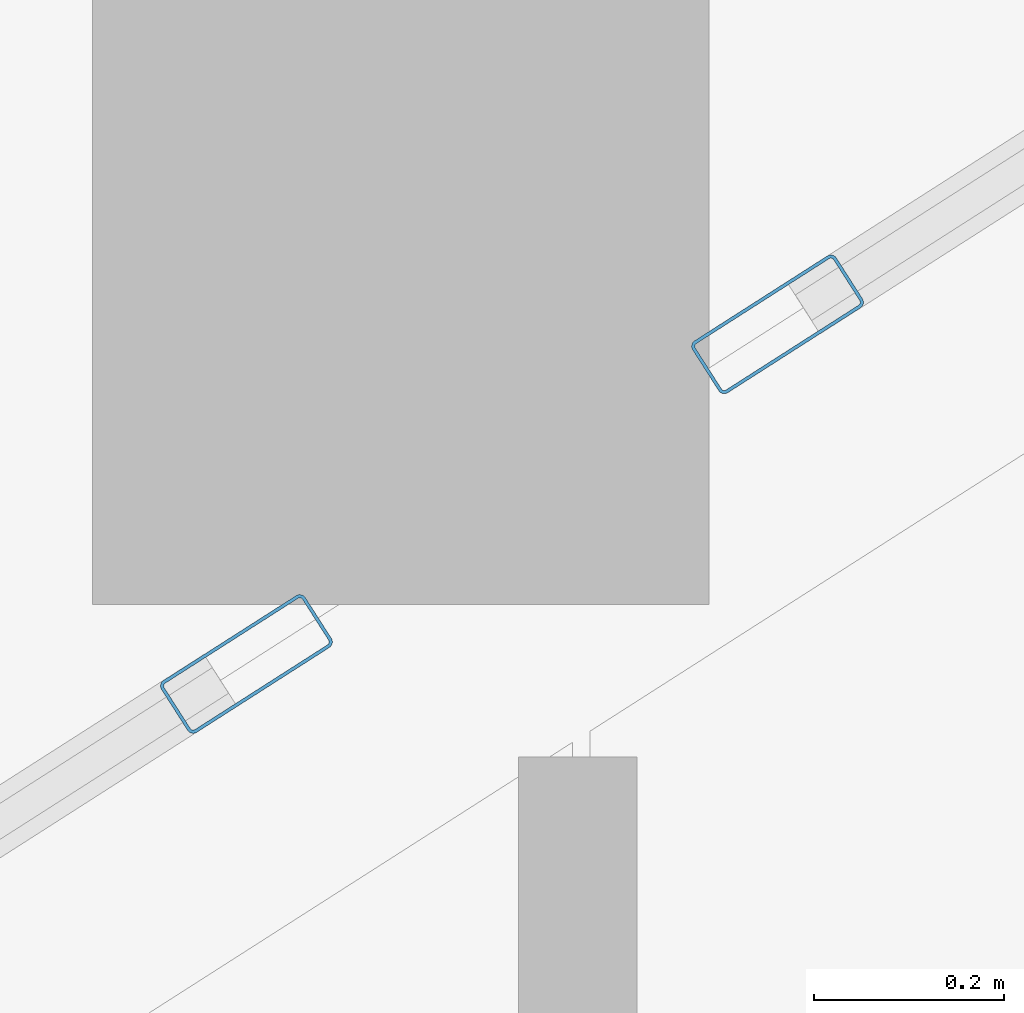
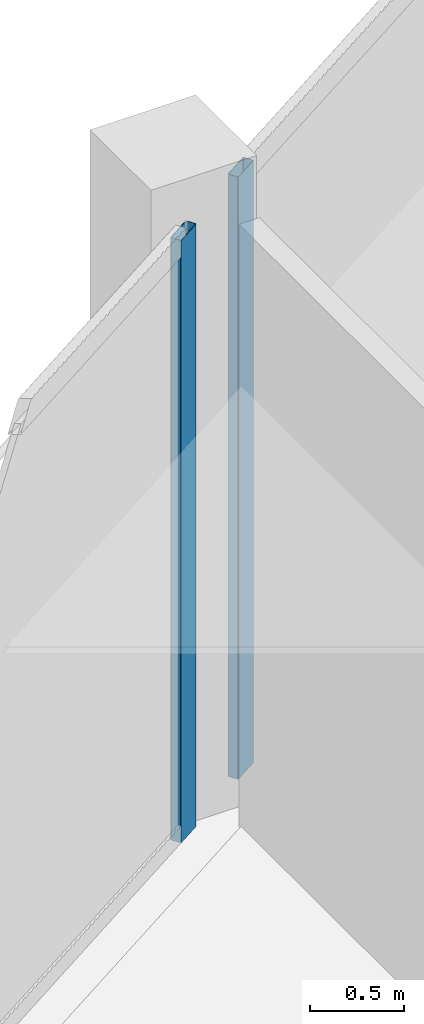
# One storey, part 16 of 44: 2 members, 2 elements without a shape of their own.
"""IFC4 building model written with IfcOpenShell, lengths in metres."""

from ifc_helpers import new_model, si_unit, direction, frame, origin, origin_2d, place, context, subcontext, project, spatial, hollow_rectangle, extrude, material, layer, layer_set, material_profile, profile_set, type_object, element, aggregate, save


model = new_model("IFC4")

# Units and contexts
model_context = context("Model", 3, precision=1e-05, world=origin(), true_north=direction((0.0, 1.0)))
body_context = subcontext(model_context, "Body", "Model", "MODEL_VIEW")
ifc_project = project(units=[si_unit("LENGTHUNIT", "METRE"), si_unit("AREAUNIT", "SQUARE_METRE"), si_unit("VOLUMEUNIT", "CUBIC_METRE"), si_unit("PLANEANGLEUNIT", "RADIAN"), si_unit("MASSUNIT", "GRAM", prefix="KILO")], contexts=[model_context])

# Site, building, storey
site_placement = place(None, origin())
site = spatial("IfcSite", under=ifc_project, at=site_placement, CompositionType="ELEMENT")
building_placement = place(site_placement, origin())
building = spatial("IfcBuilding", under=site, at=building_placement, Name="Qorvath Tower", CompositionType="ELEMENT")
storey_placement = place(building_placement, frame((0.0, 0.0, 57.60009765625)))
storey = spatial("IfcBuildingStorey", under=building, at=storey_placement, Name="L12", CompositionType="ELEMENT", Elevation=57.60009765625)

# Curtain wall, member
ifc_material_1 = material(Name="Anodised aluminium and triple low-E glass", Category="aluminium")
ifc_layer = layer(ifc_material_1, 0.179931640625)
ifc_layer_set = layer_set([ifc_layer], Name="CW-SYS-2")
curtain_wall_type = type_object("IfcCurtainWallType", Name="CW-SYS-2", PredefinedType="NOTDEFINED", material=ifc_layer_set)
curtain_wall_1_placement = place(storey_placement, origin())
curtain_wall_1 = element("IfcCurtainWall", 1, at=curtain_wall_1_placement, inside=storey, type_object=curtain_wall_type, Name="Curtain Wall CW-2 CW-T-L12-16.2", PredefinedType="NOTDEFINED")
ifc_material_2 = material(Name="Anodised aluminium 6063-T6", Category="aluminium")
ifc_material_profile = material_profile(ifc_material_2, hollow_rectangle(XDim=0.06494140625, YDim=0.179931640625, WallThickness=0.00341796875, InnerFilletRadius=0.00341796875, OuterFilletRadius=0.007080078125, at=origin_2d()), Name="CWM 180x65")
ifc_profile_set = profile_set([ifc_material_profile], Name="Anodised aluminium 6063-T6")
member_type = type_object("IfcMemberType", Name="CWM-180", PredefinedType="MULLION", material=ifc_profile_set)
member_1_placement = place(storey_placement, frame((-39.93505859375, 16.92626953125, 0.0), z_axis=(0.0, 0.0, 1.0), x_axis=(0.538539451152, -0.842600296435, 0.0)))
member_1 = element("IfcMember", 2, at=member_1_placement, type_object=member_type, Name="CW-2 mullion 6", PredefinedType="MULLION", context=body_context, shape_type="SweptSolid", body=[
    extrude(hollow_rectangle(XDim=0.06494140625, YDim=0.179931640625, WallThickness=0.00341796875, InnerFilletRadius=0.00341796875, OuterFilletRadius=0.007080078125, at=origin_2d()), origin(), (0.0, 0.0, 1.0), 3.919921875),
])
aggregate(curtain_wall_1, [member_1])

curtain_wall_2_placement = place(storey_placement, origin())
curtain_wall_2 = element("IfcCurtainWall", 3, at=curtain_wall_2_placement, inside=storey, type_object=curtain_wall_type, Name="Curtain Wall CW-2 CW-T-L12-16.3", PredefinedType="NOTDEFINED")
member_2_placement = place(storey_placement, frame((-40.4951171875, 16.568115234375, 0.0), z_axis=(0.0, 0.0, 1.0), x_axis=(0.53852960651, -0.842606588458, 0.0)))
member_2 = element("IfcMember", 4, at=member_2_placement, type_object=member_type, Name="CW-2 mullion 1", PredefinedType="MULLION", context=body_context, shape_type="SweptSolid", body=[
    extrude(hollow_rectangle(XDim=0.06494140625, YDim=0.179931640625, WallThickness=0.00341796875, InnerFilletRadius=0.00341796875, OuterFilletRadius=0.007080078125, at=origin_2d()), origin(), (0.0, 0.0, 1.0), 3.919921875),
])
aggregate(curtain_wall_2, [member_2])

save(model, "model.ifc")
